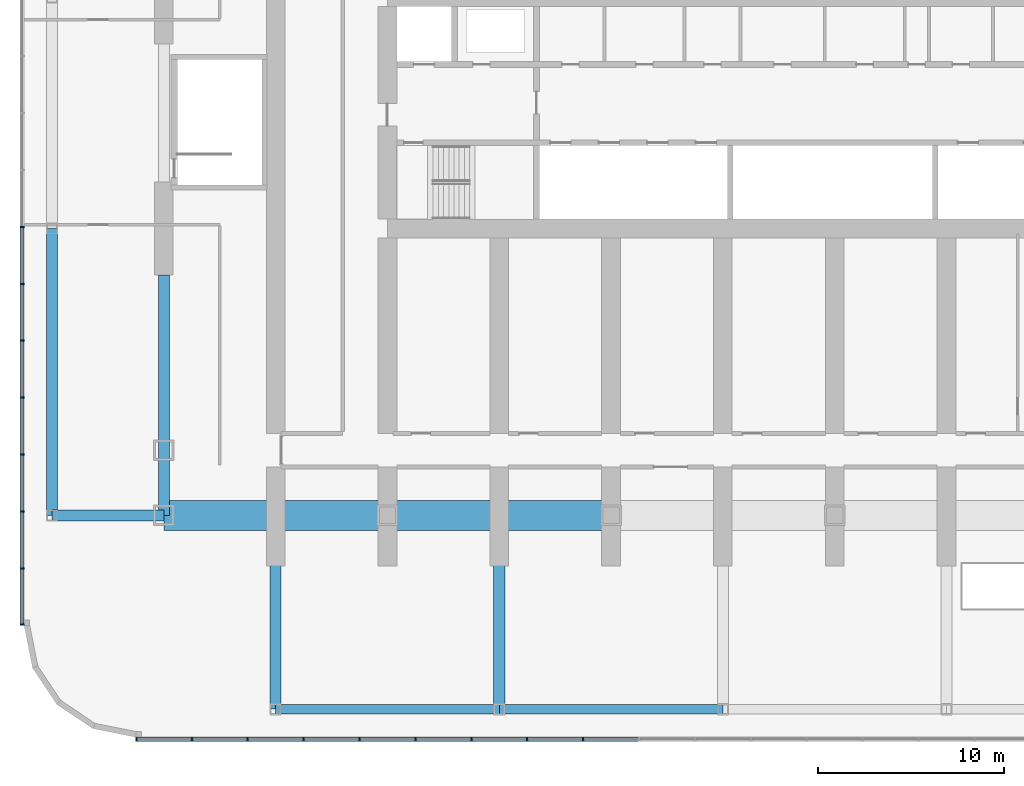
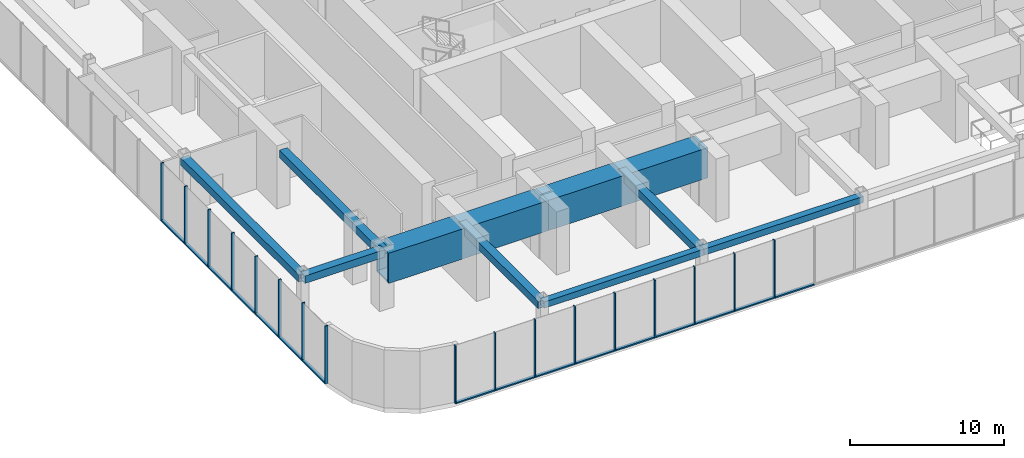
# One storey, part 2 of 26: 33 members, 9 beams, 2 elements without a shape of their own.
"""IFC4 building model written with IfcOpenShell, lengths in metres."""

import ifcopenshell
import ifcopenshell.guid

model = None  # the IFC model being written
_history = None  # IfcOwnerHistory: only IFC2X3 demands one
_inside = {}  # id of a spatial element -> (the spatial element, [elements in it])
_under = {}  # id of a project, library or spatial element -> (it, [spatial elements below it])
_declared = {}  # id of a project -> (the project, [libraries it declares])
_typed = {}  # id of a type object -> (the type object, [elements of that type])
_made_of = {}  # id of a material, layer set ... -> (it, [elements and type objects made of it])


def new_model(schema):
    """Start an empty IFC model of exactly this schema.

    Asked for "IFC4X3", IfcOpenShell would pick the latest addendum, in which some entities
    have other attributes; the version numbers below select the first issue.
    IFC2X3 requires an IfcOwnerHistory on every rooted entity: one is made here for all.
    """
    global model, _history
    if schema == "IFC4X3":
        model = ifcopenshell.file(schema_version=(4, 3, 0, 0))
    else:
        model = ifcopenshell.file(schema=schema)
    _inside.clear()
    _under.clear()
    _declared.clear()
    _typed.clear()
    _made_of.clear()
    _history = None
    if model.schema == "IFC2X3":
        org = make("IfcOrganization", Name="unknown")
        user = make(
            "IfcPersonAndOrganization",
            ThePerson=make("IfcPerson", FamilyName="unknown"),
            TheOrganization=org,
        )
        app = make(
            "IfcApplication",
            ApplicationDeveloper=org,
            Version="unknown",
            ApplicationFullName="unknown",
            ApplicationIdentifier="unknown",
        )
        _history = make(
            "IfcOwnerHistory",
            OwningUser=user,
            OwningApplication=app,
            ChangeAction="ADDED",
            CreationDate=0,
        )
    return model


def make(cls, **values):
    """One entity of the class cls with the attributes given. An attribute that is None is left unset."""
    return model.create_entity(
        cls, **{name: value for name, value in values.items() if value is not None}
    )


def rooted(cls, **values):
    """An entity with a GlobalId (a new one), such as an element, a storey or a relation."""
    return make(cls, GlobalId=ifcopenshell.guid.new(), OwnerHistory=_history, **values)


def si_unit(unit_type, name, prefix=None):
    """IfcSIUnit, for example si_unit("LENGTHUNIT", "METRE", prefix="MILLI")."""
    return make("IfcSIUnit", UnitType=unit_type, Prefix=prefix, Name=name)


def assignment(units):
    """IfcUnitAssignment: the units of a project."""
    return None if units is None else make("IfcUnitAssignment", Units=units)


def point(xyz):
    """IfcCartesianPoint."""
    return None if xyz is None else make("IfcCartesianPoint", Coordinates=xyz)


def direction(xyz):
    """IfcDirection."""
    return None if xyz is None else make("IfcDirection", DirectionRatios=xyz)


def frame(location, z_axis=None, x_axis=None):
    """IfcAxis2Placement3D, a coordinate frame: its origin and axes. An axis left out is left unset."""
    return make(
        "IfcAxis2Placement3D",
        Location=point(location),
        Axis=direction(z_axis),
        RefDirection=direction(x_axis),
    )


def frame_2d(location, x_axis=None):
    """IfcAxis2Placement2D, a coordinate frame in the plane: its origin and x axis."""
    return make(
        "IfcAxis2Placement2D", Location=point(location), RefDirection=direction(x_axis)
    )


def origin():
    """The frame at (0, 0, 0) with its axes left unset."""
    return frame((0.0, 0.0, 0.0))


def origin_2d():
    """The frame at (0, 0) in the plane with its x axis left unset."""
    return frame_2d((0.0, 0.0))


def place(relative_to, where):
    """IfcLocalPlacement: puts the frame where relative to a parent placement (None: the world)."""
    return make(
        "IfcLocalPlacement", PlacementRelTo=relative_to, RelativePlacement=where
    )


def context(
    kind, dimensions, precision=None, world=None, true_north=None, identifier=None
):
    """IfcGeometricRepresentationContext, for example the 3D "Model" context."""
    return make(
        "IfcGeometricRepresentationContext",
        ContextIdentifier=identifier,
        ContextType=kind,
        CoordinateSpaceDimension=dimensions,
        Precision=precision,
        WorldCoordinateSystem=world,
        TrueNorth=true_north,
    )


def subcontext(parent, identifier, kind, view, scale=None):
    """IfcGeometricRepresentationSubContext, for example "Body" below "Model"."""
    return make(
        "IfcGeometricRepresentationSubContext",
        ContextIdentifier=identifier,
        ContextType=kind,
        ParentContext=parent,
        TargetScale=scale,
        TargetView=view,
    )


def project(units=None, contexts=None):
    """IfcProject with its units and contexts."""
    return rooted(
        "IfcProject",
        Name="project",
        RepresentationContexts=contexts,
        UnitsInContext=assignment(units),
    )


def spatial(cls, under=None, at=None, **own):
    """A site, building, storey or space (cls), placed at a placement, below another one or the project."""
    s = rooted(cls, ObjectPlacement=at, **own)
    if under is not None:
        _under.setdefault(under.id(), (under, []))[1].append(s)
    return s


def profile(cls, at=None, kind="AREA", **sizes):
    """A parametric profile (cls). Its sizes go by their IFC names, for example OverallWidth=200.0."""
    return make(cls, ProfileType=kind, Position=at, **sizes)


def rectangle(**sizes):
    """IfcRectangleProfileDef."""
    return profile("IfcRectangleProfileDef", **sizes)


def hollow_rectangle(**sizes):
    """IfcRectangleHollowProfileDef."""
    return profile("IfcRectangleHollowProfileDef", **sizes)


def extrude(swept, where, along, depth):
    """IfcExtrudedAreaSolid: the profile swept, set in the frame where, extruded along a direction by depth."""
    return make(
        "IfcExtrudedAreaSolid",
        SweptArea=swept,
        Position=where,
        ExtrudedDirection=direction(along),
        Depth=depth,
    )


def shape(context_of_items, identifier, shape_type, items):
    """IfcShapeRepresentation: the items that make up one representation, for example the "Body"."""
    return make(
        "IfcShapeRepresentation",
        ContextOfItems=context_of_items,
        RepresentationIdentifier=identifier,
        RepresentationType=shape_type,
        Items=items,
    )


def material(Name=None, Category=None):
    """IfcMaterial."""
    return make("IfcMaterial", Name=Name, Category=Category)


def material_profile(
    of_material, cross_section, Name=None, Category=None, Priority=None
):
    """IfcMaterialProfile: a cross section and its material."""
    return make(
        "IfcMaterialProfile",
        Name=Name,
        Material=of_material,
        Profile=cross_section,
        Priority=Priority,
        Category=Category,
    )


def profile_set(profiles, Name=None, composite=None):
    """IfcMaterialProfileSet."""
    return make(
        "IfcMaterialProfileSet",
        Name=Name,
        MaterialProfiles=profiles,
        CompositeProfile=composite,
    )


def made_of(thing, what):
    """Note that an element or type object is made of a material, layer set ...; save() writes the relation."""
    if what is not None:
        _made_of.setdefault(what.id(), (what, []))[1].append(thing)
    return thing


def type_object(cls, material=None, **own):
    """A type object (cls), such as IfcWallType, which elements share."""
    return made_of(rooted(cls, **own), material)


def element(
    cls,
    number,
    at=None,
    inside=None,
    cuts=None,
    type_object=None,
    material=None,
    context=None,
    identifier="Body",
    shape_type=None,
    held_by="IfcProductDefinitionShape",
    body=None,
    shapes=None,
    **own,
):
    """One element of the class cls, such as IfcWall. Its Tag is "e" and its number.

    at: its placement. inside: the storey or other place that contains it. cuts: it is an
    opening in that element (IfcRelVoidsElement). A single representation is given by context,
    identifier, shape_type and body (its items); several are given by shapes. held_by: the class
    of the entity that holds the representations. save() writes the other relations.
    """
    e = rooted(cls, Tag="e%d" % number, ObjectPlacement=at, **own)
    if body is not None:
        shapes = [shape(context, identifier, shape_type, body)]
    if shapes is not None:
        e.Representation = make(held_by, Representations=shapes)
    if inside is not None:
        _inside.setdefault(inside.id(), (inside, []))[1].append(e)
    if cuts is not None:
        rooted(
            "IfcRelVoidsElement", RelatingBuildingElement=cuts, RelatedOpeningElement=e
        )
    if type_object is not None:
        _typed.setdefault(type_object.id(), (type_object, []))[1].append(e)
    return made_of(e, material)


def aggregate(whole, parts):
    """IfcRelAggregates: a whole, such as a stair, and the parts it consists of."""
    return rooted("IfcRelAggregates", RelatingObject=whole, RelatedObjects=parts)


def save(model, path):
    """Write the relations noted so far, then the file.

    IfcRelAggregates (storeys below a building ...), IfcRelContainedInSpatialStructure (elements
    in a storey), IfcRelDefinesByType, IfcRelAssociatesMaterial and IfcRelDeclares: one each for
    every whole, place, type object, material and project.
    """
    for whole, parts in _under.values():
        aggregate(whole, parts)
    for where, things in _inside.values():
        rooted(
            "IfcRelContainedInSpatialStructure",
            RelatedElements=things,
            RelatingStructure=where,
        )
    for kind, things in _typed.values():
        rooted("IfcRelDefinesByType", RelatedObjects=things, RelatingType=kind)
    for what, things in _made_of.values():
        rooted("IfcRelAssociatesMaterial", RelatedObjects=things, RelatingMaterial=what)
    for by, libraries in _declared.values():
        rooted("IfcRelDeclares", RelatingContext=by, RelatedDefinitions=libraries)
    model.write(path)


model = new_model("IFC4")

# Units and contexts
model_context = context("Model", 3, precision=1e-05, world=origin(), true_north=direction((0.0, 1.0)))
body_context = subcontext(model_context, "Body", "Model", "MODEL_VIEW")
ifc_project = project(units=[si_unit("LENGTHUNIT", "METRE"), si_unit("AREAUNIT", "SQUARE_METRE"), si_unit("VOLUMEUNIT", "CUBIC_METRE"), si_unit("PLANEANGLEUNIT", "RADIAN"), si_unit("MASSUNIT", "GRAM", prefix="KILO")], contexts=[model_context])

# Site, building, storey
site_placement = place(None, origin())
site = spatial("IfcSite", under=ifc_project, at=site_placement, CompositionType="ELEMENT")
building_placement = place(site_placement, origin())
building = spatial("IfcBuilding", under=site, at=building_placement, Name="Orbita Commons", CompositionType="ELEMENT")
storey_placement = place(building_placement, frame((0.0, 0.0, 11.0)))
storey = spatial("IfcBuildingStorey", under=building, at=storey_placement, Name="L02", CompositionType="ELEMENT", Elevation=11.0)

# Curtain wall, members
ifc_material_1 = material(Name="Anodised aluminium frame, pale silver", Category="aluminium")
curtain_wall_type = type_object("IfcCurtainWallType", Name="Podium storefront curtain wall CW-P", PredefinedType="NOTDEFINED", material=ifc_material_1)
curtain_wall_1_placement = place(storey_placement, origin())
curtain_wall_1 = element("IfcCurtainWall", 1, at=curtain_wall_1_placement, inside=storey, type_object=curtain_wall_type, Name="Curtain wall S 1 L02", PredefinedType="NOTDEFINED")
ifc_material_2 = material(Name="Anodised aluminium, pale silver", Category="aluminium")
ifc_material_profile_1 = material_profile(ifc_material_2, rectangle(XDim=0.080078125, YDim=0.219970703125, at=origin_2d()), Name="AL 80x220")
ifc_profile_set_1 = profile_set([ifc_material_profile_1], Name="Anodised aluminium, pale silver")
member_type_1 = type_object("IfcMemberType", Name="Curtain wall mullion 80x220", PredefinedType="MULLION", material=ifc_profile_set_1)
member_1_placement = place(storey_placement, frame((4.5400390625, -1.610107421875, 0.0), z_axis=(0.0, 0.0, 1.0), x_axis=(1.0, 0.0, 0.0)))
member_1 = element("IfcMember", 2, at=member_1_placement, type_object=member_type_1, Name="Mullion 1 CW-L02-S0", PredefinedType="MULLION", context=body_context, shape_type="SweptSolid", body=[
    extrude(rectangle(XDim=0.080078125, YDim=0.219970703125, at=origin_2d()), origin(), (0.0, 0.0, 1.0), 4.60009765625),
])
member_2_placement = place(storey_placement, frame((7.5, -1.610107421875, 0.0), z_axis=(0.0, 0.0, 1.0), x_axis=(1.0, 0.0, 0.0)))
member_2 = element("IfcMember", 3, at=member_2_placement, type_object=member_type_1, Name="Mullion 2 CW-L02-S0", PredefinedType="MULLION", context=body_context, shape_type="SweptSolid", body=[
    extrude(rectangle(XDim=0.080078125, YDim=0.219970703125, at=origin_2d()), origin(), (0.0, 0.0, 1.0), 4.60009765625),
])
member_3_placement = place(storey_placement, frame((10.5, -1.610107421875, 0.0), z_axis=(0.0, 0.0, 1.0), x_axis=(1.0, 0.0, 0.0)))
member_3 = element("IfcMember", 4, at=member_3_placement, type_object=member_type_1, Name="Mullion 3 CW-L02-S0", PredefinedType="MULLION", context=body_context, shape_type="SweptSolid", body=[
    extrude(rectangle(XDim=0.080078125, YDim=0.219970703125, at=origin_2d()), origin(), (0.0, 0.0, 1.0), 4.60009765625),
])
member_4_placement = place(storey_placement, frame((13.5, -1.610107421875, 0.0), z_axis=(0.0, 0.0, 1.0), x_axis=(1.0, 0.0, 0.0)))
member_4 = element("IfcMember", 5, at=member_4_placement, type_object=member_type_1, Name="Mullion 4 CW-L02-S0", PredefinedType="MULLION", context=body_context, shape_type="SweptSolid", body=[
    extrude(rectangle(XDim=0.080078125, YDim=0.219970703125, at=origin_2d()), origin(), (0.0, 0.0, 1.0), 4.60009765625),
])
member_5_placement = place(storey_placement, frame((16.5, -1.610107421875, 0.0), z_axis=(0.0, 0.0, 1.0), x_axis=(1.0, 0.0, 0.0)))
member_5 = element("IfcMember", 6, at=member_5_placement, type_object=member_type_1, Name="Mullion 5 CW-L02-S0", PredefinedType="MULLION", context=body_context, shape_type="SweptSolid", body=[
    extrude(rectangle(XDim=0.080078125, YDim=0.219970703125, at=origin_2d()), origin(), (0.0, 0.0, 1.0), 4.60009765625),
])
member_6_placement = place(storey_placement, frame((19.5, -1.610107421875, 0.0), z_axis=(0.0, 0.0, 1.0), x_axis=(1.0, 0.0, 0.0)))
member_6 = element("IfcMember", 7, at=member_6_placement, type_object=member_type_1, Name="Mullion 6 CW-L02-S0", PredefinedType="MULLION", context=body_context, shape_type="SweptSolid", body=[
    extrude(rectangle(XDim=0.080078125, YDim=0.219970703125, at=origin_2d()), origin(), (0.0, 0.0, 1.0), 4.60009765625),
])
member_7_placement = place(storey_placement, frame((22.5, -1.610107421875, 0.0), z_axis=(0.0, 0.0, 1.0), x_axis=(1.0, 0.0, 0.0)))
member_7 = element("IfcMember", 8, at=member_7_placement, type_object=member_type_1, Name="Mullion 7 CW-L02-S0", PredefinedType="MULLION", context=body_context, shape_type="SweptSolid", body=[
    extrude(rectangle(XDim=0.080078125, YDim=0.219970703125, at=origin_2d()), origin(), (0.0, 0.0, 1.0), 4.60009765625),
])
member_8_placement = place(storey_placement, frame((25.5, -1.610107421875, 0.0), z_axis=(0.0, 0.0, 1.0), x_axis=(1.0, 0.0, 0.0)))
member_8 = element("IfcMember", 9, at=member_8_placement, type_object=member_type_1, Name="Mullion 8 CW-L02-S0", PredefinedType="MULLION", context=body_context, shape_type="SweptSolid", body=[
    extrude(rectangle(XDim=0.080078125, YDim=0.219970703125, at=origin_2d()), origin(), (0.0, 0.0, 1.0), 4.60009765625),
])
member_9_placement = place(storey_placement, frame((28.5, -1.610107421875, 0.0), z_axis=(0.0, 0.0, 1.0), x_axis=(1.0, 0.0, 0.0)))
member_9 = element("IfcMember", 10, at=member_9_placement, type_object=member_type_1, Name="Mullion 9 CW-L02-S0", PredefinedType="MULLION", context=body_context, shape_type="SweptSolid", body=[
    extrude(rectangle(XDim=0.080078125, YDim=0.219970703125, at=origin_2d()), origin(), (0.0, 0.0, 1.0), 4.60009765625),
])

curtain_wall_2_placement = place(storey_placement, origin())
curtain_wall_2 = element("IfcCurtainWall", 11, at=curtain_wall_2_placement, inside=storey, type_object=curtain_wall_type, Name="Curtain wall W 1 L02", PredefinedType="NOTDEFINED")
member_10_placement = place(storey_placement, frame((-1.610107421875, 25.888916015625, 0.0), z_axis=(0.0, 0.0, 1.0), x_axis=(0.0, -1.0, 0.0)))
member_10 = element("IfcMember", 12, at=member_10_placement, type_object=member_type_1, Name="Mullion 12 CW-L02-W0", PredefinedType="MULLION", context=body_context, shape_type="SweptSolid", body=[
    extrude(rectangle(XDim=0.080078125, YDim=0.219970703125, at=origin_2d()), origin(), (0.0, 0.0, 1.0), 4.60009765625),
])
member_11_placement = place(storey_placement, frame((-1.610107421875, 22.833251953125, 0.0), z_axis=(0.0, 0.0, 1.0), x_axis=(0.0, -1.0, 0.0)))
member_11 = element("IfcMember", 13, at=member_11_placement, type_object=member_type_1, Name="Mullion 13 CW-L02-W0", PredefinedType="MULLION", context=body_context, shape_type="SweptSolid", body=[
    extrude(rectangle(XDim=0.080078125, YDim=0.219970703125, at=origin_2d()), origin(), (0.0, 0.0, 1.0), 4.60009765625),
])
member_12_placement = place(storey_placement, frame((-1.610107421875, 19.77783203125, 0.0), z_axis=(0.0, 0.0, 1.0), x_axis=(0.0, -1.0, 0.0)))
member_12 = element("IfcMember", 14, at=member_12_placement, type_object=member_type_1, Name="Mullion 14 CW-L02-W0", PredefinedType="MULLION", context=body_context, shape_type="SweptSolid", body=[
    extrude(rectangle(XDim=0.080078125, YDim=0.219970703125, at=origin_2d()), origin(), (0.0, 0.0, 1.0), 4.60009765625),
])
member_13_placement = place(storey_placement, frame((-1.610107421875, 16.72216796875, 0.0), z_axis=(0.0, 0.0, 1.0), x_axis=(0.0, -1.0, 0.0)))
member_13 = element("IfcMember", 15, at=member_13_placement, type_object=member_type_1, Name="Mullion 15 CW-L02-W0", PredefinedType="MULLION", context=body_context, shape_type="SweptSolid", body=[
    extrude(rectangle(XDim=0.080078125, YDim=0.219970703125, at=origin_2d()), origin(), (0.0, 0.0, 1.0), 4.60009765625),
])
member_14_placement = place(storey_placement, frame((-1.610107421875, 13.666748046875, 0.0), z_axis=(0.0, 0.0, 1.0), x_axis=(0.0, -1.0, 0.0)))
member_14 = element("IfcMember", 16, at=member_14_placement, type_object=member_type_1, Name="Mullion 16 CW-L02-W0", PredefinedType="MULLION", context=body_context, shape_type="SweptSolid", body=[
    extrude(rectangle(XDim=0.080078125, YDim=0.219970703125, at=origin_2d()), origin(), (0.0, 0.0, 1.0), 4.60009765625),
])
member_15_placement = place(storey_placement, frame((-1.610107421875, 10.611083984375, 0.0), z_axis=(0.0, 0.0, 1.0), x_axis=(0.0, -1.0, 0.0)))
member_15 = element("IfcMember", 17, at=member_15_placement, type_object=member_type_1, Name="Mullion 17 CW-L02-W0", PredefinedType="MULLION", context=body_context, shape_type="SweptSolid", body=[
    extrude(rectangle(XDim=0.080078125, YDim=0.219970703125, at=origin_2d()), origin(), (0.0, 0.0, 1.0), 4.60009765625),
])
member_16_placement = place(storey_placement, frame((-1.610107421875, 7.5556640625, 0.0), z_axis=(0.0, 0.0, 1.0), x_axis=(0.0, -1.0, 0.0)))
member_16 = element("IfcMember", 18, at=member_16_placement, type_object=member_type_1, Name="Mullion 18 CW-L02-W0", PredefinedType="MULLION", context=body_context, shape_type="SweptSolid", body=[
    extrude(rectangle(XDim=0.080078125, YDim=0.219970703125, at=origin_2d()), origin(), (0.0, 0.0, 1.0), 4.60009765625),
])
member_17_placement = place(storey_placement, frame((-1.610107421875, 4.5400390625, 0.0), z_axis=(0.0, 0.0, 1.0), x_axis=(0.0, -1.0, 0.0)))
member_17 = element("IfcMember", 19, at=member_17_placement, type_object=member_type_1, Name="Mullion 19 CW-L02-W0", PredefinedType="MULLION", context=body_context, shape_type="SweptSolid", body=[
    extrude(rectangle(XDim=0.080078125, YDim=0.219970703125, at=origin_2d()), origin(), (0.0, 0.0, 1.0), 4.60009765625),
])

# Member
ifc_material_3 = material(Name="Anodised aluminium, pale silver", Category="aluminium")
ifc_material_profile_2 = material_profile(ifc_material_3, rectangle(XDim=0.219970703125, YDim=0.10009765625, at=origin_2d()), Name="AL 220x100")
ifc_profile_set_2 = profile_set([ifc_material_profile_2], Name="Anodised aluminium, pale silver")
member_type_2 = type_object("IfcMemberType", Name="Curtain wall stack transom 220x100", PredefinedType="USERDEFINED", material=ifc_profile_set_2)
member_18_placement = place(storey_placement, frame((4.580078125, -1.610107421875, 0.050048828125), z_axis=(1.0, 0.0, 0.0), x_axis=(0.0, 1.0, 0.0)))
member_18 = element("IfcMember", 20, at=member_18_placement, type_object=member_type_2, Name="Transom 1.1 CW-L02-S0", ObjectType="TRANSOM", PredefinedType="USERDEFINED", context=body_context, shape_type="SweptSolid", body=[
    extrude(rectangle(XDim=0.219970703125, YDim=0.10009765625, at=origin_2d()), origin(), (0.0, 0.0, 1.0), 2.8798828125),
])

member_19_placement = place(storey_placement, frame((7.5400390625, -1.610107421875, 0.050048828125), z_axis=(1.0, 0.0, 0.0), x_axis=(0.0, 1.0, 0.0)))
member_19 = element("IfcMember", 21, at=member_19_placement, type_object=member_type_2, Name="Transom 2.1 CW-L02-S0", ObjectType="TRANSOM", PredefinedType="USERDEFINED", context=body_context, shape_type="SweptSolid", body=[
    extrude(rectangle(XDim=0.219970703125, YDim=0.10009765625, at=origin_2d()), origin(), (0.0, 0.0, 1.0), 2.919921875),
])

member_20_placement = place(storey_placement, frame((10.5400390625, -1.610107421875, 0.050048828125), z_axis=(1.0, 0.0, 0.0), x_axis=(0.0, 1.0, 0.0)))
member_20 = element("IfcMember", 22, at=member_20_placement, type_object=member_type_2, Name="Transom 3.1 CW-L02-S0", ObjectType="TRANSOM", PredefinedType="USERDEFINED", context=body_context, shape_type="SweptSolid", body=[
    extrude(rectangle(XDim=0.219970703125, YDim=0.10009765625, at=origin_2d()), origin(), (0.0, 0.0, 1.0), 2.919921875),
])

member_21_placement = place(storey_placement, frame((13.5400390625, -1.610107421875, 0.050048828125), z_axis=(1.0, 0.0, 0.0), x_axis=(0.0, 1.0, 0.0)))
member_21 = element("IfcMember", 23, at=member_21_placement, type_object=member_type_2, Name="Transom 4.1 CW-L02-S0", ObjectType="TRANSOM", PredefinedType="USERDEFINED", context=body_context, shape_type="SweptSolid", body=[
    extrude(rectangle(XDim=0.219970703125, YDim=0.10009765625, at=origin_2d()), origin(), (0.0, 0.0, 1.0), 2.919921875),
])

member_22_placement = place(storey_placement, frame((16.5400390625, -1.610107421875, 0.050048828125), z_axis=(1.0, 0.0, 0.0), x_axis=(0.0, 1.0, 0.0)))
member_22 = element("IfcMember", 24, at=member_22_placement, type_object=member_type_2, Name="Transom 5.1 CW-L02-S0", ObjectType="TRANSOM", PredefinedType="USERDEFINED", context=body_context, shape_type="SweptSolid", body=[
    extrude(rectangle(XDim=0.219970703125, YDim=0.10009765625, at=origin_2d()), origin(), (0.0, 0.0, 1.0), 2.919921875),
])

member_23_placement = place(storey_placement, frame((19.5400390625, -1.610107421875, 0.050048828125), z_axis=(1.0, 0.0, 0.0), x_axis=(0.0, 1.0, 0.0)))
member_23 = element("IfcMember", 25, at=member_23_placement, type_object=member_type_2, Name="Transom 6.1 CW-L02-S0", ObjectType="TRANSOM", PredefinedType="USERDEFINED", context=body_context, shape_type="SweptSolid", body=[
    extrude(rectangle(XDim=0.219970703125, YDim=0.10009765625, at=origin_2d()), origin(), (0.0, 0.0, 1.0), 2.919921875),
])

member_24_placement = place(storey_placement, frame((22.5400390625, -1.610107421875, 0.050048828125), z_axis=(1.0, 0.0, 0.0), x_axis=(0.0, 1.0, 0.0)))
member_24 = element("IfcMember", 26, at=member_24_placement, type_object=member_type_2, Name="Transom 7.1 CW-L02-S0", ObjectType="TRANSOM", PredefinedType="USERDEFINED", context=body_context, shape_type="SweptSolid", body=[
    extrude(rectangle(XDim=0.219970703125, YDim=0.10009765625, at=origin_2d()), origin(), (0.0, 0.0, 1.0), 2.919921875),
])

member_25_placement = place(storey_placement, frame((25.5400390625, -1.610107421875, 0.050048828125), z_axis=(1.0, 0.0, 0.0), x_axis=(0.0, 1.0, 0.0)))
member_25 = element("IfcMember", 27, at=member_25_placement, type_object=member_type_2, Name="Transom 8.1 CW-L02-S0", ObjectType="TRANSOM", PredefinedType="USERDEFINED", context=body_context, shape_type="SweptSolid", body=[
    extrude(rectangle(XDim=0.219970703125, YDim=0.10009765625, at=origin_2d()), origin(), (0.0, 0.0, 1.0), 2.919921875),
])

member_26_placement = place(storey_placement, frame((28.5400390625, -1.610107421875, 0.050048828125), z_axis=(1.0, 0.0, 0.0), x_axis=(0.0, 1.0, 0.0)))
member_26 = element("IfcMember", 28, at=member_26_placement, type_object=member_type_2, Name="Transom 9.1 CW-L02-S0", ObjectType="TRANSOM", PredefinedType="USERDEFINED", context=body_context, shape_type="SweptSolid", body=[
    extrude(rectangle(XDim=0.219970703125, YDim=0.10009765625, at=origin_2d()), origin(), (0.0, 0.0, 1.0), 2.919921875),
])

aggregate(curtain_wall_1, [member_1, member_2, member_3, member_4, member_5, member_6, member_7, member_8, member_9, member_18, member_19, member_20, member_21, member_22, member_23, member_24, member_25, member_26])

member_27_placement = place(storey_placement, frame((-1.610107421875, 25.848876953125, 0.050048828125), z_axis=(0.0, -1.0, 0.0), x_axis=(1.0, 0.0, 0.0)))
member_27 = element("IfcMember", 29, at=member_27_placement, type_object=member_type_2, Name="Transom 12.1 CW-L02-W0", ObjectType="TRANSOM", PredefinedType="USERDEFINED", context=body_context, shape_type="SweptSolid", body=[
    extrude(rectangle(XDim=0.219970703125, YDim=0.10009765625, at=origin_2d()), origin(), (0.0, 0.0, 1.0), 2.9755859375),
])

member_28_placement = place(storey_placement, frame((-1.610107421875, 22.793212890625, 0.050048828125), z_axis=(0.0, -1.0, 0.0), x_axis=(1.0, 0.0, 0.0)))
member_28 = element("IfcMember", 30, at=member_28_placement, type_object=member_type_2, Name="Transom 13.1 CW-L02-W0", ObjectType="TRANSOM", PredefinedType="USERDEFINED", context=body_context, shape_type="SweptSolid", body=[
    extrude(rectangle(XDim=0.219970703125, YDim=0.10009765625, at=origin_2d()), origin(), (0.0, 0.0, 1.0), 2.975341796875),
])

member_29_placement = place(storey_placement, frame((-1.610107421875, 19.73779296875, 0.050048828125), z_axis=(0.0, -1.0, 0.0), x_axis=(1.0, 0.0, 0.0)))
member_29 = element("IfcMember", 31, at=member_29_placement, type_object=member_type_2, Name="Transom 14.1 CW-L02-W0", ObjectType="TRANSOM", PredefinedType="USERDEFINED", context=body_context, shape_type="SweptSolid", body=[
    extrude(rectangle(XDim=0.219970703125, YDim=0.10009765625, at=origin_2d()), origin(), (0.0, 0.0, 1.0), 2.9755859375),
])

member_30_placement = place(storey_placement, frame((-1.610107421875, 16.68212890625, 0.050048828125), z_axis=(0.0, -1.0, 0.0), x_axis=(1.0, 0.0, 0.0)))
member_30 = element("IfcMember", 32, at=member_30_placement, type_object=member_type_2, Name="Transom 15.1 CW-L02-W0", ObjectType="TRANSOM", PredefinedType="USERDEFINED", context=body_context, shape_type="SweptSolid", body=[
    extrude(rectangle(XDim=0.219970703125, YDim=0.10009765625, at=origin_2d()), origin(), (0.0, 0.0, 1.0), 2.975341796875),
])

member_31_placement = place(storey_placement, frame((-1.610107421875, 13.626708984375, 0.050048828125), z_axis=(0.0, -1.0, 0.0), x_axis=(1.0, 0.0, 0.0)))
member_31 = element("IfcMember", 33, at=member_31_placement, type_object=member_type_2, Name="Transom 16.1 CW-L02-W0", ObjectType="TRANSOM", PredefinedType="USERDEFINED", context=body_context, shape_type="SweptSolid", body=[
    extrude(rectangle(XDim=0.219970703125, YDim=0.10009765625, at=origin_2d()), origin(), (0.0, 0.0, 1.0), 2.9755859375),
])

member_32_placement = place(storey_placement, frame((-1.610107421875, 10.571044921875, 0.050048828125), z_axis=(0.0, -1.0, 0.0), x_axis=(1.0, 0.0, 0.0)))
member_32 = element("IfcMember", 34, at=member_32_placement, type_object=member_type_2, Name="Transom 17.1 CW-L02-W0", ObjectType="TRANSOM", PredefinedType="USERDEFINED", context=body_context, shape_type="SweptSolid", body=[
    extrude(rectangle(XDim=0.219970703125, YDim=0.10009765625, at=origin_2d()), origin(), (0.0, 0.0, 1.0), 2.9755859375),
])

member_33_placement = place(storey_placement, frame((-1.610107421875, 7.515625, 0.050048828125), z_axis=(0.0, -1.0, 0.0), x_axis=(1.0, 0.0, 0.0)))
member_33 = element("IfcMember", 35, at=member_33_placement, type_object=member_type_2, Name="Transom 18.1 CW-L02-W0", ObjectType="TRANSOM", PredefinedType="USERDEFINED", context=body_context, shape_type="SweptSolid", body=[
    extrude(rectangle(XDim=0.219970703125, YDim=0.10009765625, at=origin_2d()), origin(), (0.0, 0.0, 1.0), 2.935546875),
])

aggregate(curtain_wall_2, [member_10, member_11, member_12, member_13, member_14, member_15, member_16, member_17, member_27, member_28, member_29, member_30, member_31, member_32, member_33])

# Beams
ifc_material_4 = material(Name="Steel ASTM A572 Gr 50 welded plate", Category="steel")
ifc_material_profile_3 = material_profile(ifc_material_4, hollow_rectangle(XDim=0.5, YDim=0.5, WallThickness=0.050048828125, at=origin_2d()), Name="BOX 500x500x50")
ifc_profile_set_3 = profile_set([ifc_material_profile_3], Name="Steel ASTM A572 Gr 50 welded plate")
beam_type_1 = type_object("IfcBeamType", Name="Steel edge beam BOX 500x500x50", PredefinedType="SPANDREL", material=ifc_profile_set_3)
for number, where, z_axis, x_axis, name in (
    (36, (12.0, 0.0, 4.35009765625), (1.0, 0.0, 0.0), (0.0, 1.0, 0.0), "Edge beam A 3-5 L02"),
    (37, (24.0, 0.0, 4.35009765625), (1.0, 0.0, 0.0), (0.0, 1.0, 0.0), "Edge beam A 5-7 L02"),
):
    element("IfcBeam", number, at=place(storey_placement, frame(where, z_axis=z_axis, x_axis=x_axis)), inside=storey, type_object=beam_type_1, Name=name, PredefinedType="SPANDREL", context=body_context, shape_type="SweptSolid", body=[
        extrude(hollow_rectangle(XDim=0.5, YDim=0.5, WallThickness=0.050048828125, at=origin_2d()), origin(), (0.0, 0.0, 1.0), 12.0),
    ])
ifc_material_5 = material(Name="Steel ASTM A572 Gr 50 welded plate", Category="steel")
ifc_material_profile_4 = material_profile(ifc_material_5, hollow_rectangle(XDim=0.60009765625, YDim=0.60009765625, WallThickness=0.06005859375, at=origin_2d()), Name="BOX 600x600x60")
ifc_profile_set_4 = profile_set([ifc_material_profile_4], Name="Steel ASTM A572 Gr 50 welded plate")
beam_type_2 = type_object("IfcBeamType", Name="Steel podium beam BOX 600x600x60", PredefinedType="BEAM", material=ifc_profile_set_4)
for number, where, z_axis, x_axis, name in (
    (38, (12.0, 0.0, 4.300048828125), (0.0, 1.0, 0.0), (-1.0, 0.0, 0.0), "Podium beam 3 A-B L02"),
    (39, (24.0, 0.0, 4.300048828125), (0.0, 1.0, 0.0), (-1.0, 0.0, 0.0), "Podium beam 5 A-B L02"),
):
    element("IfcBeam", number, at=place(storey_placement, frame(where, z_axis=z_axis, x_axis=x_axis)), inside=storey, type_object=beam_type_2, Name=name, PredefinedType="BEAM", context=body_context, shape_type="SweptSolid", body=[
        extrude(hollow_rectangle(XDim=0.60009765625, YDim=0.60009765625, WallThickness=0.06005859375, at=origin_2d()), origin(), (0.0, 0.0, 1.0), 10.39990234375),
    ])
beam_1_placement = place(storey_placement, frame((0.0, 10.39990234375, 4.300048828125), z_axis=(1.0, 0.0, 0.0), x_axis=(0.0, 1.0, 0.0)))
element("IfcBeam", 40, at=beam_1_placement, inside=storey, type_object=beam_type_2, Name="Podium beam B 1-2 L02", PredefinedType="BEAM", context=body_context, shape_type="SweptSolid", body=[
    extrude(hollow_rectangle(XDim=0.60009765625, YDim=0.60009765625, WallThickness=0.06005859375, at=origin_2d()), origin(), (0.0, 0.0, 1.0), 6.0),
])
beam_2_placement = place(storey_placement, frame((0.0, 10.39990234375, 4.300048828125), z_axis=(0.0, 1.0, 0.0), x_axis=(-1.0, 0.0, 0.0)))
element("IfcBeam", 41, at=beam_2_placement, inside=storey, type_object=beam_type_2, Name="Podium beam 1 B-C L02", PredefinedType="BEAM", context=body_context, shape_type="SweptSolid", body=[
    extrude(hollow_rectangle(XDim=0.60009765625, YDim=0.60009765625, WallThickness=0.06005859375, at=origin_2d()), origin(), (0.0, 0.0, 1.0), 15.400146484375),
])
beam_3_placement = place(storey_placement, frame((6.0, 10.39990234375, 4.300048828125), z_axis=(0.0, 1.0, 0.0), x_axis=(-1.0, 0.0, 0.0)))
element("IfcBeam", 42, at=beam_3_placement, inside=storey, type_object=beam_type_2, Name="Podium beam 2 B-C L02", PredefinedType="BEAM", context=body_context, shape_type="SweptSolid", body=[
    extrude(hollow_rectangle(XDim=0.60009765625, YDim=0.60009765625, WallThickness=0.06005859375, at=origin_2d()), origin(), (0.0, 0.0, 1.0), 12.900146484375),
])
ifc_material_6 = material(Name="Steel ASTM A572 Gr 42 welded plate", Category="steel")
ifc_material_profile_5 = material_profile(ifc_material_6, hollow_rectangle(XDim=1.60009765625, YDim=2.39990234375, WallThickness=0.14990234375, at=origin_2d()), Name="BOX 2400x1600x150")
ifc_profile_set_5 = profile_set([ifc_material_profile_5], Name="Steel ASTM A572 Gr 42 welded plate")
beam_type_3 = type_object("IfcBeamType", Name="Steel transfer girder BOX 2400x1600x150", PredefinedType="BEAM", material=ifc_profile_set_5)
for number, where, z_axis, x_axis, name in (
    (43, (6.0, 10.39990234375, 3.39990234375), (1.0, 0.0, 0.0), (0.0, 1.0, 0.0), "Transfer girder B 2-4"),
    (44, (18.0, 10.39990234375, 3.39990234375), (1.0, 0.0, 0.0), (0.0, 1.0, 0.0), "Transfer girder B 4-6"),
):
    element("IfcBeam", number, at=place(storey_placement, frame(where, z_axis=z_axis, x_axis=x_axis)), inside=storey, type_object=beam_type_3, Name=name, PredefinedType="BEAM", context=body_context, shape_type="SweptSolid", body=[
        extrude(hollow_rectangle(XDim=1.60009765625, YDim=2.39990234375, WallThickness=0.14990234375, at=origin_2d()), origin(), (0.0, 0.0, 1.0), 12.0),
    ])

save(model, "model.ifc")
